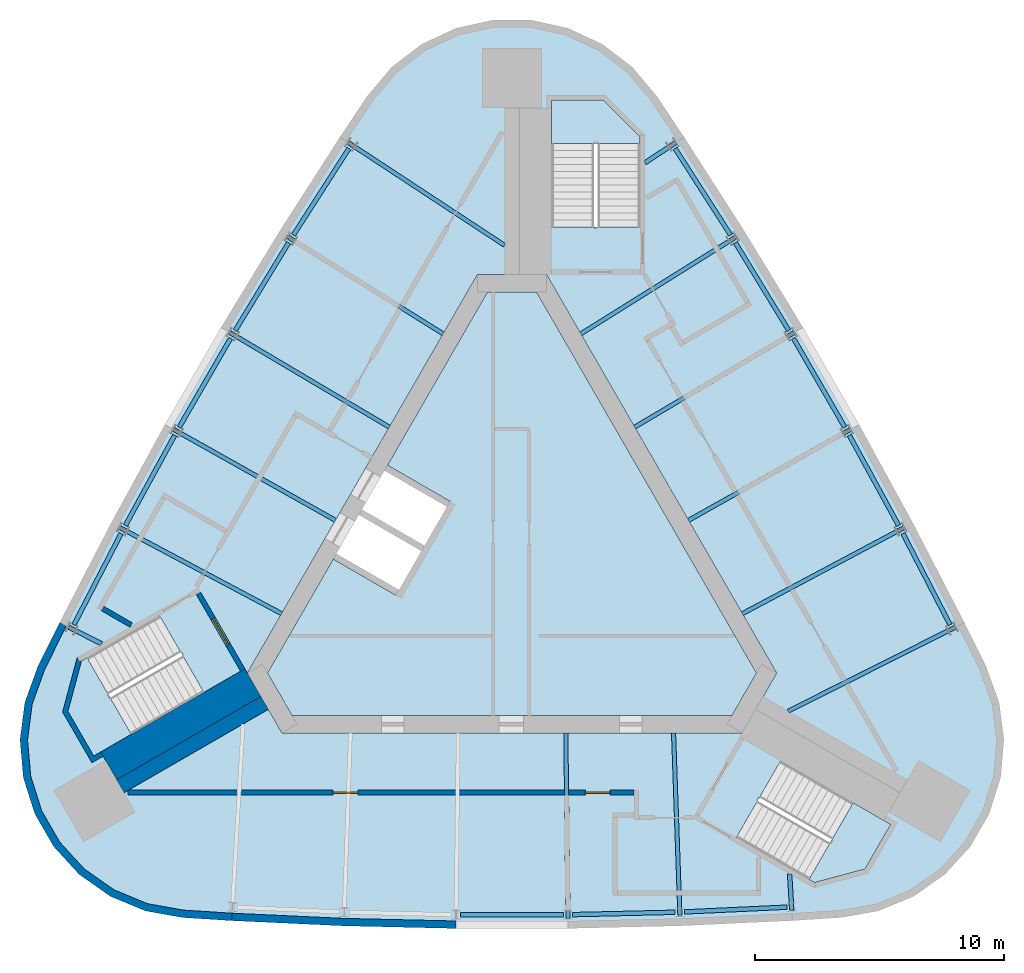
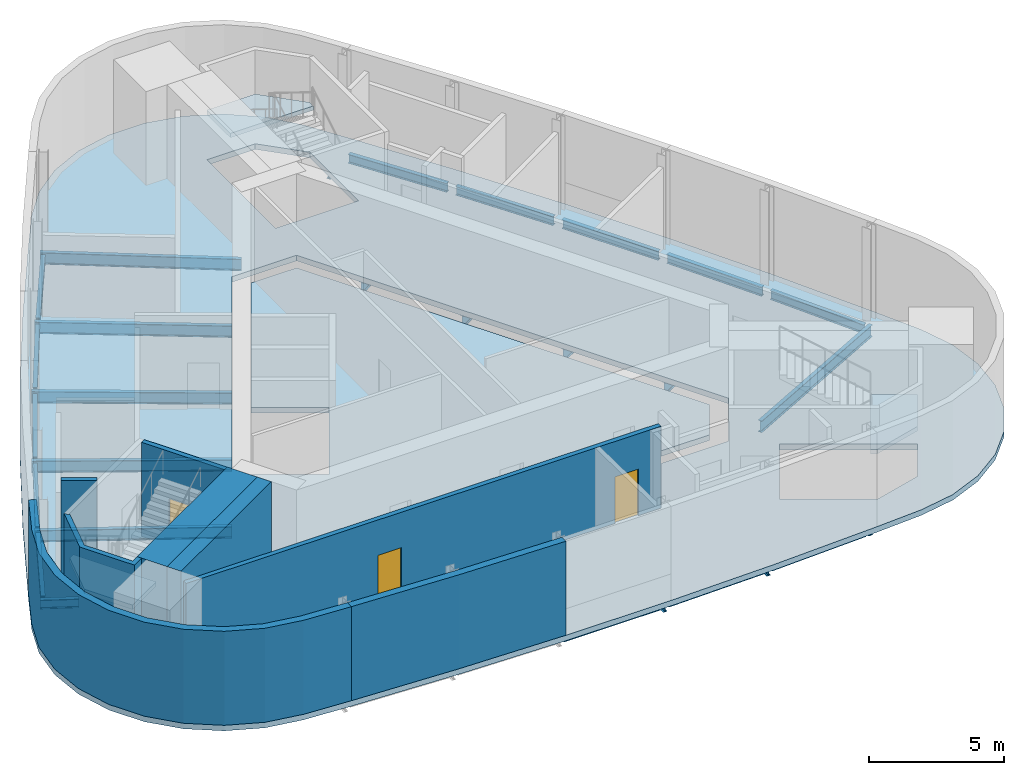
# One storey, part 3 of 7: 28 beams, 8 walls, 5 slabs, 3 doors, 3 openings, 3 elements without a shape of their own.
"""IFC4 building model written with IfcOpenShell, lengths in metres."""

from ifc_helpers import new_model, si_unit, direction, frame, frame_2d, origin, origin_2d, place, context, subcontext, project, spatial, polyline, rectangle, i_section, outline, extrude, material, layer, layer_set, material_profile, profile_set, type_object, element, fill, aggregate, save


model = new_model("IFC4")

# Units and contexts
model_context = context("Model", 3, precision=1e-05, world=origin(), true_north=direction((0.0, 1.0)))
body_context = subcontext(model_context, "Body", "Model", "MODEL_VIEW")
ifc_project = project(units=[si_unit("LENGTHUNIT", "METRE"), si_unit("AREAUNIT", "SQUARE_METRE"), si_unit("VOLUMEUNIT", "CUBIC_METRE"), si_unit("PLANEANGLEUNIT", "RADIAN"), si_unit("MASSUNIT", "GRAM", prefix="KILO")], contexts=[model_context])

# Site, building, storey
site_placement = place(None, origin())
site = spatial("IfcSite", under=ifc_project, at=site_placement, CompositionType="ELEMENT")
building_placement = place(site_placement, origin())
building = spatial("IfcBuilding", under=site, at=building_placement, Name="Noor Cloister Tower", CompositionType="ELEMENT")
storey_placement = place(building_placement, frame((0.0, 0.0, 302.10009765625)))
storey = spatial("IfcBuildingStorey", under=building, at=storey_placement, Name="L76", CompositionType="ELEMENT", Elevation=302.10009765625)

# Beams
ifc_material_1 = material(Name="Steel ASTM A992 Gr 50", Category="steel")
ifc_material_profile_1 = material_profile(ifc_material_1, i_section(OverallWidth=0.177978515625, OverallDepth=0.406005859375, WebThickness=0.0078125, FlangeThickness=0.0126953125, FilletRadius=0.01025390625, at=origin_2d()), Name="W410x60")
ifc_profile_set_1 = profile_set([ifc_material_profile_1], Name="Steel ASTM A992 Gr 50")
beam_type_1 = type_object("IfcBeamType", Name="Radial beam W410x60", PredefinedType="BEAM", material=ifc_profile_set_1)
for number, where, z_axis, x_axis, name in (
    (1, (-17.762451171875, -2.69921875, -0.453125), (0.893513410786, -0.449036507141, 0.0), (0.449036507141, 0.893513410786, 0.0), "Radial beam NW 06 L76"),
    (2, (11.218994140625, -14.033203125, -0.453125), (-0.058088486933, 0.998311438222, 0.0), (-0.998311438222, -0.058088486933, 0.0), "Radial beam S 06 L76"),
    (3, (6.543701171875, 16.732421875, -0.453125), (-0.835592525802, -0.549349734526, 0.0), (0.549349734526, -0.835592525802, 0.0), "Radial beam NE 06 L76"),
):
    element("IfcBeam", number, at=place(storey_placement, frame(where, z_axis=z_axis, x_axis=x_axis)), inside=storey, type_object=beam_type_1, Name=name, PredefinedType="BEAM", context=body_context, shape_type="SweptSolid", body=[
        extrude(i_section(OverallWidth=0.177978515625, OverallDepth=0.406005859375, WebThickness=0.0078125, FlangeThickness=0.0126953125, FilletRadius=0.01025390625, at=origin_2d()), origin(), (0.0, 0.0, 1.0), 1.44580078125),
    ])
ifc_material_2 = material(Name="Steel ASTM A992 Gr 50", Category="steel")
ifc_material_profile_2 = material_profile(ifc_material_2, i_section(OverallWidth=0.166015625, OverallDepth=0.528076171875, WebThickness=0.009765625, FlangeThickness=0.013671875, FilletRadius=0.0126953125, at=origin_2d()), Name="W530x74")
ifc_profile_set_2 = profile_set([ifc_material_profile_2], Name="Steel ASTM A992 Gr 50")
beam_type_2 = type_object("IfcBeamType", Name="Radial beam W530x74", PredefinedType="BEAM", material=ifc_profile_set_2)
beam_1_placement = place(storey_placement, frame((-6.543701171875, 16.732421875, -0.51416015625), z_axis=(0.835597066484, -0.549342827825, 0.0), x_axis=(0.549342827825, 0.835597066484, 0.0)))
element("IfcBeam", 4, at=beam_1_placement, inside=storey, type_object=beam_type_2, Name="Radial beam NW 01 L76", PredefinedType="BEAM", context=body_context, shape_type="SweptSolid", body=[
    extrude(i_section(OverallWidth=0.166015625, OverallDepth=0.528076171875, WebThickness=0.009765625, FlangeThickness=0.013671875, FilletRadius=0.0126953125, at=origin_2d()), origin(), (0.0, 0.0, 1.0), 7.47216796875),
])
beam_2_placement = place(storey_placement, frame((-8.966552734375, 12.952392578125, -0.51416015625), z_axis=(0.848095755563, -0.529842985606, 0.0), x_axis=(0.529842985606, 0.848095755563, 0.0)))
element("IfcBeam", 5, at=beam_2_placement, inside=storey, type_object=beam_type_2, Name="Radial beam NW 02 L76", PredefinedType="BEAM", context=body_context, shape_type="SweptSolid", body=[
    extrude(i_section(OverallWidth=0.166015625, OverallDepth=0.528076171875, WebThickness=0.009765625, FlangeThickness=0.013671875, FilletRadius=0.0126953125, at=origin_2d()), origin(), (0.0, 0.0, 1.0), 7.317626953125),
])
beam_3_placement = place(storey_placement, frame((-11.301025390625, 9.116943359375, -0.51416015625), z_axis=(0.8601674766, -0.510011678492, 0.0), x_axis=(0.510011678492, 0.8601674766, 0.0)))
element("IfcBeam", 6, at=beam_3_placement, inside=storey, type_object=beam_type_2, Name="Radial beam NW 03 L76", PredefinedType="BEAM", context=body_context, shape_type="SweptSolid", body=[
    extrude(i_section(OverallWidth=0.166015625, OverallDepth=0.528076171875, WebThickness=0.009765625, FlangeThickness=0.013671875, FilletRadius=0.0126953125, at=origin_2d()), origin(), (0.0, 0.0, 1.0), 7.41796875),
])
beam_4_placement = place(storey_placement, frame((-13.546142578125, 5.228515625, -0.51416015625), z_axis=(0.871771481583, -0.489912730901, 0.0), x_axis=(0.489912730901, 0.871771481583, 0.0)))
element("IfcBeam", 7, at=beam_4_placement, inside=storey, type_object=beam_type_2, Name="Radial beam NW 04 L76", PredefinedType="BEAM", context=body_context, shape_type="SweptSolid", body=[
    extrude(i_section(OverallWidth=0.166015625, OverallDepth=0.528076171875, WebThickness=0.009765625, FlangeThickness=0.013671875, FilletRadius=0.0126953125, at=origin_2d()), origin(), (0.0, 0.0, 1.0), 7.417724609375),
])
beam_5_placement = place(storey_placement, frame((-15.7001953125, 1.2890625, -0.51416015625), z_axis=(0.882900936167, -0.469559300745, 0.0), x_axis=(0.469559300745, 0.882900936167, 0.0)))
element("IfcBeam", 8, at=beam_5_placement, inside=storey, type_object=beam_type_2, Name="Radial beam NW 05 L76", PredefinedType="BEAM", context=body_context, shape_type="SweptSolid", body=[
    extrude(i_section(OverallWidth=0.166015625, OverallDepth=0.528076171875, WebThickness=0.009765625, FlangeThickness=0.013671875, FilletRadius=0.0126953125, at=origin_2d()), origin(), (0.0, 0.0, 1.0), 7.317626953125),
])
beam_6_placement = place(storey_placement, frame((2.244873046875, -14.345458984375, -0.51416015625), z_axis=(-0.011585411151, 0.999932886872, 0.0), x_axis=(-0.999932886872, -0.011585411151, 0.0)))
element("IfcBeam", 9, at=beam_6_placement, inside=storey, type_object=beam_type_2, Name="Radial beam S 04 L76", PredefinedType="BEAM", context=body_context, shape_type="SweptSolid", body=[
    extrude(i_section(OverallWidth=0.166015625, OverallDepth=0.528076171875, WebThickness=0.009765625, FlangeThickness=0.013671875, FilletRadius=0.0126953125, at=origin_2d()), origin(), (0.0, 0.0, 1.0), 7.417724609375),
])
beam_7_placement = place(storey_placement, frame((6.733642578125, -14.241455078125, -0.51416015625), z_axis=(-0.034764484893, 0.999395532605, 0.0), x_axis=(-0.999395532605, -0.034764484893, 0.0)))
element("IfcBeam", 10, at=beam_7_placement, inside=storey, type_object=beam_type_2, Name="Radial beam S 05 L76", PredefinedType="BEAM", context=body_context, shape_type="SweptSolid", body=[
    extrude(i_section(OverallWidth=0.166015625, OverallDepth=0.528076171875, WebThickness=0.009765625, FlangeThickness=0.013671875, FilletRadius=0.0126953125, at=origin_2d()), origin(), (0.0, 0.0, 1.0), 7.317626953125),
])
beam_8_placement = place(storey_placement, frame((17.762451171875, -2.69921875, -0.51416015625), z_axis=(-0.893543245424, -0.448977135897, 0.0), x_axis=(0.448977135897, -0.893543245424, 0.0)))
element("IfcBeam", 11, at=beam_8_placement, inside=storey, type_object=beam_type_2, Name="Radial beam NE 01 L76", PredefinedType="BEAM", context=body_context, shape_type="SweptSolid", body=[
    extrude(i_section(OverallWidth=0.166015625, OverallDepth=0.528076171875, WebThickness=0.009765625, FlangeThickness=0.013671875, FilletRadius=0.0126953125, at=origin_2d()), origin(), (0.0, 0.0, 1.0), 7.471923828125),
])
beam_9_placement = place(storey_placement, frame((15.7001953125, 1.2890625, -0.51416015625), z_axis=(-0.882900936167, -0.469559300745, 0.0), x_axis=(0.469559300745, -0.882900936167, 0.0)))
element("IfcBeam", 12, at=beam_9_placement, inside=storey, type_object=beam_type_2, Name="Radial beam NE 02 L76", PredefinedType="BEAM", context=body_context, shape_type="SweptSolid", body=[
    extrude(i_section(OverallWidth=0.166015625, OverallDepth=0.528076171875, WebThickness=0.009765625, FlangeThickness=0.013671875, FilletRadius=0.0126953125, at=origin_2d()), origin(), (0.0, 0.0, 1.0), 7.317626953125),
])
beam_10_placement = place(storey_placement, frame((13.546142578125, 5.228515625, -0.51416015625), z_axis=(-0.871771481583, -0.489912730901, 0.0), x_axis=(0.489912730901, -0.871771481583, 0.0)))
element("IfcBeam", 13, at=beam_10_placement, inside=storey, type_object=beam_type_2, Name="Radial beam NE 03 L76", PredefinedType="BEAM", context=body_context, shape_type="SweptSolid", body=[
    extrude(i_section(OverallWidth=0.166015625, OverallDepth=0.528076171875, WebThickness=0.009765625, FlangeThickness=0.013671875, FilletRadius=0.0126953125, at=origin_2d()), origin(), (0.0, 0.0, 1.0), 7.417724609375),
])
beam_11_placement = place(storey_placement, frame((11.301025390625, 9.116943359375, -0.51416015625), z_axis=(-0.8601674766, -0.510011678492, 0.0), x_axis=(0.510011678492, -0.8601674766, 0.0)))
element("IfcBeam", 14, at=beam_11_placement, inside=storey, type_object=beam_type_2, Name="Radial beam NE 04 L76", PredefinedType="BEAM", context=body_context, shape_type="SweptSolid", body=[
    extrude(i_section(OverallWidth=0.166015625, OverallDepth=0.528076171875, WebThickness=0.009765625, FlangeThickness=0.013671875, FilletRadius=0.0126953125, at=origin_2d()), origin(), (0.0, 0.0, 1.0), 7.41796875),
])
beam_12_placement = place(storey_placement, frame((8.966552734375, 12.952392578125, -0.51416015625), z_axis=(-0.848095755563, -0.529842985606, 0.0), x_axis=(0.529842985606, -0.848095755563, 0.0)))
element("IfcBeam", 15, at=beam_12_placement, inside=storey, type_object=beam_type_2, Name="Radial beam NE 05 L76", PredefinedType="BEAM", context=body_context, shape_type="SweptSolid", body=[
    extrude(i_section(OverallWidth=0.166015625, OverallDepth=0.528076171875, WebThickness=0.009765625, FlangeThickness=0.013671875, FilletRadius=0.0126953125, at=origin_2d()), origin(), (0.0, 0.0, 1.0), 7.317626953125),
])
ifc_material_3 = material(Name="Steel ASTM A992 Gr 50", Category="steel")
ifc_material_profile_3 = material_profile(ifc_material_3, i_section(OverallWidth=0.177978515625, OverallDepth=0.406005859375, WebThickness=0.0078125, FlangeThickness=0.0126953125, FilletRadius=0.01025390625, at=origin_2d()), Name="W410x60")
ifc_profile_set_3 = profile_set([ifc_material_profile_3], Name="Steel ASTM A992 Gr 50")
beam_type_3 = type_object("IfcBeamType", Name="Spandrel beam W410x60", PredefinedType="SPANDREL", material=ifc_profile_set_3)
for number, where, z_axis, x_axis, name in (
    (16, (-6.541015625, 16.510498046875, -0.453125), (-0.539591790673, -0.841926777956, 0.0), (0.841926777956, -0.539591790673, 0.0), "Spandrel beam NW 01 L76"),
    (17, (-8.958740234375, 12.73046875, -0.453125), (-0.519967629608, -0.854185965794, 0.0), (0.854185965794, -0.519967629608, 0.0), "Spandrel beam NW 02 L76"),
    (18, (-11.2880859375, 8.8955078125, -0.453125), (-0.499989236795, -0.866031617834, 0.0), (0.866031617834, -0.499989236795, 0.0), "Spandrel beam NW 03 L76"),
    (19, (-13.528076171875, 5.00732421875, -0.453125), (-0.479794519486, -0.877380885973, 0.0), (0.877380885973, -0.479794519486, 0.0), "Spandrel beam NW 04 L76"),
    (20, (-15.677001953125, 1.068359375, -0.453125), (-0.459334235581, -0.888263508213, 0.0), (0.888263508213, -0.459334235581, 0.0), "Spandrel beam NW 05 L76"),
    (21, (-2.0595703125, -14.2236328125, -0.453125), (1.0, 0.0, 0.0), (0.0, 1.0, 0.0), "Spandrel beam S 03 L76"),
):
    element("IfcBeam", number, at=place(storey_placement, frame(where, z_axis=z_axis, x_axis=x_axis)), inside=storey, type_object=beam_type_3, Name=name, PredefinedType="SPANDREL", context=body_context, shape_type="SweptSolid", body=[
        extrude(i_section(OverallWidth=0.177978515625, OverallDepth=0.406005859375, WebThickness=0.0078125, FlangeThickness=0.0126953125, FilletRadius=0.01025390625, at=origin_2d()), origin(), (0.0, 0.0, 1.0), 4.119140625),
    ])
beam_13_placement = place(storey_placement, frame((2.427490234375, -14.21923828125, -0.453125), z_axis=(0.999731452345, 0.023173760841, 0.0), x_axis=(-0.023173760841, 0.999731452345, 0.0)))
element("IfcBeam", 22, at=beam_13_placement, inside=storey, type_object=beam_type_3, Name="Spandrel beam S 04 L76", PredefinedType="SPANDREL", context=body_context, shape_type="SweptSolid", body=[
    extrude(i_section(OverallWidth=0.177978515625, OverallDepth=0.406005859375, WebThickness=0.0078125, FlangeThickness=0.0126953125, FilletRadius=0.01025390625, at=origin_2d()), origin(), (0.0, 0.0, 1.0), 4.119384765625),
])
for number, where, z_axis, x_axis, name in (
    (23, (6.913330078125, -14.11083984375, -0.453125), (0.998925325351, 0.046348617801, 0.0), (-0.046348617801, 0.998925325351, 0.0), "Spandrel beam S 05 L76"),
    (24, (17.569091796875, -2.590576171875, -0.453125), (-0.459334235581, 0.888263508213, 0.0), (-0.888263508213, -0.459334235581, 0.0), "Spandrel beam NE 01 L76"),
    (25, (15.50439453125, 1.393310546875, -0.453125), (-0.479794519486, 0.877380885973, 0.0), (-0.877380885973, -0.479794519486, 0.0), "Spandrel beam NE 02 L76"),
    (26, (13.34765625, 5.328125, -0.453125), (-0.499989236795, 0.866031617834, 0.0), (-0.866031617834, -0.499989236795, 0.0), "Spandrel beam NE 03 L76"),
    (27, (11.1005859375, 9.2119140625, -0.453125), (-0.519967629608, 0.854185965794, 0.0), (-0.854185965794, -0.519967629608, 0.0), "Spandrel beam NE 04 L76"),
    (28, (8.763671875, 13.04248046875, -0.453125), (-0.539591790673, 0.841926777956, 0.0), (-0.841926777956, -0.539591790673, 0.0), "Spandrel beam NE 05 L76"),
):
    element("IfcBeam", number, at=place(storey_placement, frame(where, z_axis=z_axis, x_axis=x_axis)), inside=storey, type_object=beam_type_3, Name=name, PredefinedType="SPANDREL", context=body_context, shape_type="SweptSolid", body=[
        extrude(i_section(OverallWidth=0.177978515625, OverallDepth=0.406005859375, WebThickness=0.0078125, FlangeThickness=0.0126953125, FilletRadius=0.01025390625, at=origin_2d()), origin(), (0.0, 0.0, 1.0), 4.119140625),
    ])

# Slabs
ifc_material_4 = material(Name="Concrete C40/50", Category="concrete")
ifc_layer_1 = layer(ifc_material_4, 0.25)
ifc_layer_set_1 = layer_set([ifc_layer_1], Name="Core floor slab 250 C40/50")
slab_type_1 = type_object("IfcSlabType", Name="Core floor slab 250 C40/50", PredefinedType="FLOOR", material=ifc_layer_set_1)
slab_1_placement = place(storey_placement, frame((0.0, 0.0, -0.25)))
element("IfcSlab", 29, at=slab_1_placement, inside=storey, type_object=slab_type_1, Name="Core floor L76", PredefinedType="FLOOR", context=body_context, shape_type="SweptSolid", body=[
    extrude(outline(polyline([(-4.993896484375, 3.806884765625), (-2.482421875, 2.35693359375), (-4.6572265625, -1.410400390625), (-7.168701171875, 0.039794921875), (-9.80615234375, -4.5283203125), (-8.82470703125, -6.228271484375), (8.82470703125, -6.228271484375), (9.80615234375, -4.5283203125), (0.9814453125, 10.75634765625), (-0.9814453125, 10.75634765625), (-4.993896484375, 3.806884765625)])), origin(), (0.0, 0.0, 1.0), 0.25),
])
ifc_material_5 = material(Name="Concrete C40/50", Category="concrete")
ifc_layer_2 = layer(ifc_material_5, 0.25)
ifc_layer_set_2 = layer_set([ifc_layer_2], Name="Floor slab 250 C40/50")
slab_type_2 = type_object("IfcSlabType", Name="Floor slab 250 C40/50", PredefinedType="FLOOR", material=ifc_layer_set_2)
slab_2_placement = place(storey_placement, frame((0.0, 0.0, -0.25)))
element("IfcSlab", 30, at=slab_2_placement, inside=storey, type_object=slab_type_2, Name="Floor slab L76", PredefinedType="FLOOR", context=body_context, shape_type="SweptSolid", body=[
    extrude(outline(polyline([(5.809814453125, 18.609619140625), (4.830078125, 19.771484375), (3.62255859375, 20.69482421875), (2.244140625, 21.33544921875), (0.760009765625, 21.66357421875), (-0.760009765625, 21.66357421875), (-2.244140625, 21.33544921875), (-3.62255859375, 20.69482421875), (-4.830078125, 19.771484375), (-5.809814453125, 18.609619140625), (-6.9013671875, 16.967529296875), (-9.32958984375, 13.178955078125), (-11.669189453125, 9.335205078125), (-13.919189453125, 5.438232421875), (-16.078125, 1.489990234375), (-18.14501953125, -2.507080078125), (-19.021240234375, -4.2734375), (-19.53759765625, -5.702880859375), (-19.7333984375, -7.210205078125), (-19.59912109375, -8.724365234375), (-19.14111328125, -10.173583984375), (-18.381103515625, -11.489990234375), (-17.35498046875, -12.611083984375), (-16.11083984375, -13.484619140625), (-14.707763671875, -14.068603515625), (-13.21142578125, -14.336181640625), (-11.24365234375, -14.46044921875), (-6.74853515625, -14.669189453125), (-2.25, -14.7734375), (2.25, -14.7734375), (6.74853515625, -14.669189453125), (11.24365234375, -14.46044921875), (13.21142578125, -14.336181640625), (14.707763671875, -14.068603515625), (16.11083984375, -13.484619140625), (17.35498046875, -12.611083984375), (18.381103515625, -11.489990234375), (19.14111328125, -10.173583984375), (19.59912109375, -8.724365234375), (19.7333984375, -7.210205078125), (19.53759765625, -5.702880859375), (19.021240234375, -4.2734375), (18.14501953125, -2.507080078125), (16.078125, 1.489990234375), (13.919189453125, 5.438232421875), (11.669189453125, 9.335205078125), (9.32958984375, 13.178955078125), (6.9013671875, 16.967529296875), (5.809814453125, 18.609619140625)]), holes=[polyline([(8.999755859375, -11.126220703125), (12.131591796875, -12.934326171875), (14.1572265625, -12.3916015625), (15.19091796875, -10.601318359375), (10.774658203125, -8.0517578125), (8.999755859375, -11.126220703125)]), polyline([(-17.81005859375, -6.064697265625), (-16.776611328125, -7.85498046875), (-12.3603515625, -5.305419921875), (-14.13525390625, -2.23095703125), (-16.662841796875, -3.690185546875), (-17.267333984375, -4.039306640625), (-17.81005859375, -6.064697265625)]), polyline([(-10.6142578125, -4.5283203125), (-9.228759765625, -6.92822265625), (9.228759765625, -6.92822265625), (10.6142578125, -4.5283203125), (1.3857421875, 11.456298828125), (-1.3857421875, 11.456298828125), (-10.6142578125, -4.5283203125)]), polyline([(3.65283203125, 18.456298828125), (1.585693359375, 18.456298828125), (1.585693359375, 13.35693359375), (5.135498046875, 13.35693359375), (5.135498046875, 16.9736328125), (3.65283203125, 18.456298828125)])]), origin(), (0.0, 0.0, 1.0), 0.25),
])

# Stair, slab
ifc_material_6 = material(Name="Concrete C40/50", Category="concrete")
stair_type = type_object("IfcStairType", Name="Exit stair 26 risers", PredefinedType="HALF_TURN_STAIR", material=ifc_material_6)
stair_1_placement = place(storey_placement, origin())
stair_1 = element("IfcStair", 31, at=stair_1_placement, inside=storey, type_object=stair_type, Name="Exit stair ST1 L76", PredefinedType="HALF_TURN_STAIR")
ifc_material_7 = material(Name="Concrete C40/50", Category="concrete")
ifc_layer_3 = layer(ifc_material_7, 0.199951171875)
ifc_layer_set_3 = layer_set([ifc_layer_3], Name="Stair landing 200 C40/50")
slab_type_3 = type_object("IfcSlabType", Name="Stair landing 200 C40/50", PredefinedType="LANDING", material=ifc_layer_set_3)
slab_3_placement = place(storey_placement, frame((0.0, 0.0, 2.0498046875)))
slab_3 = element("IfcSlab", 32, at=slab_3_placement, type_object=slab_type_3, Name="ST1 landing 1", PredefinedType="LANDING", context=body_context, shape_type="SweptSolid", body=[
    extrude(outline(polyline([(5.135498046875, 16.7158203125), (5.135498046875, 16.9736328125), (3.65283203125, 18.456298828125), (1.585693359375, 18.456298828125), (1.585693359375, 16.7158203125), (5.135498046875, 16.7158203125)])), origin(), (0.0, 0.0, 1.0), 0.2001953125),
])
aggregate(stair_1, [slab_3])

stair_2_placement = place(storey_placement, origin())
stair_2 = element("IfcStair", 33, at=stair_2_placement, inside=storey, type_object=stair_type, Name="Exit stair ST2 L76", PredefinedType="HALF_TURN_STAIR")
slab_4_placement = place(storey_placement, frame((0.0, 0.0, 2.0498046875)))
slab_4 = element("IfcSlab", 34, at=slab_4_placement, type_object=slab_type_3, Name="ST2 landing 1", PredefinedType="LANDING", context=body_context, shape_type="SweptSolid", body=[
    extrude(outline(polyline([(-17.044189453125, -3.910400390625), (-17.267333984375, -4.039306640625), (-17.81005859375, -6.064697265625), (-16.776611328125, -7.85498046875), (-15.26904296875, -6.984619140625), (-17.044189453125, -3.910400390625)])), origin(), (0.0, 0.0, 1.0), 0.2001953125),
])
aggregate(stair_2, [slab_4])

stair_3_placement = place(storey_placement, origin())
stair_3 = element("IfcStair", 35, at=stair_3_placement, inside=storey, type_object=stair_type, Name="Exit stair ST3 L76", PredefinedType="HALF_TURN_STAIR")
slab_5_placement = place(storey_placement, frame((0.0, 0.0, 2.0498046875)))
slab_5 = element("IfcSlab", 36, at=slab_5_placement, type_object=slab_type_3, Name="ST3 landing 1", PredefinedType="LANDING", context=body_context, shape_type="SweptSolid", body=[
    extrude(outline(polyline([(11.908447265625, -12.805419921875), (12.131591796875, -12.934326171875), (14.1572265625, -12.3916015625), (15.19091796875, -10.601318359375), (13.68359375, -9.731201171875), (11.908447265625, -12.805419921875)])), origin(), (0.0, 0.0, 1.0), 0.2001953125),
])
aggregate(stair_3, [slab_5])

# Walls
ifc_material_8 = material(Name="Concrete C50/60", Category="concrete")
ifc_layer_4 = layer(ifc_material_8, 0.60009765625)
ifc_layer_set_4 = layer_set([ifc_layer_4], Name="Buttress wall 600 C50/60")
wall_type_1 = type_object("IfcWallType", Name="Buttress wall 600 C50/60", PredefinedType="SHEAR", material=ifc_layer_set_4)
wall_1_placement = place(storey_placement, frame((-9.921630859375, -5.728271484375, -0.25), z_axis=(0.0, 0.0, 1.0), x_axis=(-0.866032176823, -0.499988268569, 0.0)))
element("IfcWall", 37, at=wall_1_placement, inside=storey, type_object=wall_type_1, Name="Buttress wall SW L76", PredefinedType="SHEAR", context=body_context, shape_type="SweptSolid", body=[
    extrude(rectangle(XDim=6.678466796875, YDim=0.60009765625, at=frame_2d((3.33935546875, 0.0))), origin(), (0.0, 0.0, 1.0), 4.5),
])
ifc_material_9 = material(Name="Limestone", Category="masonry")
ifc_layer_5 = layer(ifc_material_9, 0.300048828125)
ifc_layer_set_5 = layer_set([ifc_layer_5], Name="Limestone cladding 300")
wall_type_2 = type_object("IfcWallType", Name="Limestone cladding 300", PredefinedType="NOTDEFINED", material=ifc_layer_set_5)
wall_2_placement = place(storey_placement, origin())
element("IfcWall", 38, at=wall_2_placement, inside=storey, type_object=wall_type_2, Name="Limestone pier cladding L76 1.1", PredefinedType="NOTDEFINED", context=body_context, shape_type="SweptSolid", body=[
    extrude(outline(polyline([(-18.14501953125, -2.507080078125), (-19.021240234375, -4.2734375), (-19.53759765625, -5.702880859375), (-19.7333984375, -7.210205078125), (-19.59912109375, -8.724365234375), (-19.14111328125, -10.173583984375), (-18.381103515625, -11.489990234375), (-17.35498046875, -12.611083984375), (-16.11083984375, -13.484619140625), (-14.707763671875, -14.068603515625), (-13.21142578125, -14.336181640625), (-11.24365234375, -14.46044921875), (-11.224853515625, -14.1611328125), (-13.175537109375, -14.037841796875), (-14.62255859375, -13.779052734375), (-15.96533203125, -13.22021484375), (-17.15576171875, -12.384521484375), (-18.1376953125, -11.3115234375), (-18.864990234375, -10.052001953125), (-19.30322265625, -8.6650390625), (-19.431640625, -7.21630859375), (-19.244384765625, -5.77392578125), (-18.744873046875, -4.391357421875), (-17.876220703125, -2.640380859375), (-18.14501953125, -2.507080078125)])), origin(), (0.0, 0.0, 1.0), 4.25),
])
ifc_material_10 = material(Name="Limestone", Category="masonry")
ifc_layer_6 = layer(ifc_material_10, 0.300048828125)
ifc_layer_set_6 = layer_set([ifc_layer_6], Name="Limestone panel wall 300")
wall_type_3 = type_object("IfcWallType", Name="Limestone panel wall 300", PredefinedType="NOTDEFINED", material=ifc_layer_set_6)
wall_3_placement = place(storey_placement, origin())
element("IfcWall", 39, at=wall_3_placement, inside=storey, type_object=wall_type_3, Name="Limestone crown wall L76 2a", PredefinedType="NOTDEFINED", context=body_context, shape_type="SweptSolid", body=[
    extrude(outline(polyline([(-11.24365234375, -14.46044921875), (-6.74853515625, -14.669189453125), (-2.25, -14.7734375), (-2.242919921875, -14.4736328125), (-6.73828125, -14.369384765625), (-11.229736328125, -14.160888671875), (-11.24365234375, -14.46044921875)])), origin(), (0.0, 0.0, 1.0), 4.25),
])
ifc_material_11 = material(Name="Concrete C50/60", Category="concrete")
ifc_layer_7 = layer(ifc_material_11, 1.285888671875)
ifc_layer_set_7 = layer_set([ifc_layer_7], Name="Stair enclosure wall 1286 C50/60")
wall_type_4 = type_object("IfcWallType", Name="Stair enclosure wall 1286 C50/60", PredefinedType="SHEAR", material=ifc_layer_set_7)
wall_4_placement = place(storey_placement, frame((-10.392822265625, -4.91162109375, -0.25), z_axis=(0.0, 0.0, 1.0), x_axis=(-0.866025486527, -0.499999856685, 0.0)))
element("IfcWall", 40, at=wall_4_placement, inside=storey, type_object=wall_type_4, Name="Stair enclosure wall ST2 L76 riser side", PredefinedType="SHEAR", context=body_context, shape_type="SweptSolid", body=[
    extrude(rectangle(XDim=6.6787109375, YDim=1.28564453125, at=frame_2d((3.33935546875, 0.0))), origin(), (0.0, 0.0, 1.0), 4.5),
])

# Wall, opening, door
ifc_material_12 = material(Name="Concrete C50/60", Category="concrete")
ifc_layer_8 = layer(ifc_material_12, 0.199951171875)
ifc_layer_set_8 = layer_set([ifc_layer_8], Name="Stair enclosure wall 200 C50/60")
wall_type_5 = type_object("IfcWallType", Name="Stair enclosure wall 200 C50/60", PredefinedType="SHEAR", material=ifc_layer_set_8)
wall_5_placement = place(storey_placement, frame((-12.575927734375, -1.33056640625, -0.25), z_axis=(0.0, 0.0, 1.0), x_axis=(0.499970499736, -0.8660424351, 0.0)))
wall_5 = element("IfcWall", 41, at=wall_5_placement, inside=storey, type_object=wall_type_5, Name="Stair enclosure wall ST2 L76 near end", PredefinedType="SHEAR", context=body_context, shape_type="SweptSolid", body=[
    extrude(rectangle(XDim=3.550048828125, YDim=0.199951171875, at=frame_2d((1.77490234375, 0.0))), origin(), (0.0, 0.0, 1.0), 4.5),
])
opening_1_placement = place(wall_5_placement, frame((1.175048828125, 0.0, 0.25)))
opening_1 = element("IfcOpeningElement", 42, at=opening_1_placement, cuts=wall_5, Name="Opening L76-ST2L", PredefinedType="OPENING", context=body_context, shape_type="SweptSolid", body=[
    extrude(rectangle(XDim=1.199951171875, YDim=2.10009765625, at=frame_2d((0.60009765625, 1.050048828125))), frame((0.0, 0.10986328125, 0.0), z_axis=(0.0, -1.0, 0.0), x_axis=(1.0, 0.0, 0.0)), (0.0, 0.0, 1.0), 0.219970703125),
])
ifc_material_13 = material(Name="Steel", Category="steel")
door_type_1 = type_object("IfcDoorType", Name="Stair door 1200 x 2100 FD120", OperationType="SINGLE_SWING_LEFT", PredefinedType="DOOR", material=ifc_material_13)
door_1_placement = place(opening_1_placement, origin())
door_1 = element("IfcDoor", 43, at=door_1_placement, inside=storey, type_object=door_type_1, Name="Stair door ST2 L76", OperationType="SINGLE_SWING_RIGHT", OverallHeight=2.10009765625, OverallWidth=1.199951171875, PredefinedType="DOOR", context=body_context, shape_type="SweptSolid", body=[
    extrude(rectangle(XDim=1.199951171875, YDim=2.10009765625, at=frame_2d((0.60009765625, 1.050048828125))), frame((0.0, 0.02490234375, 0.0), z_axis=(0.0, -1.0, 0.0), x_axis=(1.0, 0.0, 0.0)), (0.0, 0.0, 1.0), 0.050048828125),
])
fill(opening_1, door_1)

# Walls
ifc_material_14 = material(Name="Concrete C50/60", Category="concrete")
wall_type_6 = type_object("IfcWallType", Name="Stair far end wall C50/60", PredefinedType="SHEAR", material=ifc_material_14)
wall_6_placement = place(storey_placement, frame((0.0, 0.0, -0.25)))
element("IfcWall", 44, at=wall_6_placement, inside=storey, type_object=wall_type_6, Name="Stair enclosure wall ST2 L76 far end", PredefinedType="SHEAR", context=body_context, shape_type="SweptSolid", body=[
    extrude(outline(polyline([(-17.439208984375, -3.907470703125), (-18.024658203125, -6.093017578125), (-16.849609375, -8.128173828125), (-16.398193359375, -7.867431640625), (-16.498291015625, -7.6943359375), (-16.498291015625, -7.6943359375), (-16.776611328125, -7.85498046875), (-17.81005859375, -6.064697265625), (-17.267333984375, -4.039306640625), (-17.339111328125, -4.08056640625), (-17.339111328125, -4.08056640625), (-17.339111328125, -4.08056640625), (-17.339111328125, -4.08056640625), (-17.339111328125, -4.08056640625), (-17.339111328125, -4.08056640625), (-17.339111328125, -4.08056640625), (-17.339111328125, -4.08056640625), (-17.339111328125, -4.08056640625), (-17.339111328125, -4.08056640625), (-17.339111328125, -4.08056640625), (-17.339111328125, -4.08056640625), (-17.339111328125, -4.08056640625), (-17.339111328125, -4.08056640625), (-17.339111328125, -4.08056640625), (-17.339111328125, -4.08056640625), (-17.339111328125, -4.08056640625), (-17.439208984375, -3.907470703125)])), origin(), (0.0, 0.0, 1.0), 4.5),
])
ifc_material_15 = material(Name="Concrete block wall, 200 mm", Category="concrete")
ifc_layer_9 = layer(ifc_material_15, 0.199951171875)
ifc_layer_set_9 = layer_set([ifc_layer_9], Name="Upper floor plant room wall 200")
wall_type_7 = type_object("IfcWallType", Name="Upper floor plant room wall 200", PredefinedType="PARTITIONING", material=ifc_layer_set_9)
wall_7_placement = place(storey_placement, frame((-16.4208984375, -1.942138671875, 0.0), z_axis=(0.0, 0.0, 1.0), x_axis=(0.865991484893, -0.500058744641, 0.0)))
element("IfcWall", 45, at=wall_7_placement, inside=storey, type_object=wall_type_7, Name="Upper floor plant room wall 200 L76 007", PredefinedType="PARTITIONING", context=body_context, shape_type="SweptSolid", body=[
    extrude(rectangle(XDim=1.319580078125, YDim=0.199951171875, at=frame_2d((0.65966796875, 0.0))), origin(), (0.0, 0.0, 1.0), 4.25),
])

# Wall, openings, doors
wall_8_placement = place(storey_placement, frame((-15.397216796875, -9.328125, 0.0), z_axis=(0.0, 0.0, 1.0), x_axis=(1.0, 0.0, 0.0)))
wall_8 = element("IfcWall", 46, at=wall_8_placement, inside=storey, type_object=wall_type_7, Name="Upper floor plant room wall 200 L76 011", PredefinedType="PARTITIONING", context=body_context, shape_type="SweptSolid", body=[
    extrude(rectangle(XDim=20.297119140625, YDim=0.199951171875, at=frame_2d((10.1484375, 0.0))), origin(), (0.0, 0.0, 1.0), 3.701904296875),
])
opening_2_placement = place(wall_8_placement, frame((8.212890625, 0.0, 0.0)))
opening_2 = element("IfcOpeningElement", 47, at=opening_2_placement, cuts=wall_8, Name="Opening L76-005", PredefinedType="OPENING", context=body_context, shape_type="SweptSolid", body=[
    extrude(rectangle(XDim=1.0, YDim=2.10009765625, at=frame_2d((0.5, 1.050048828125))), frame((0.0, 0.10986328125, 0.0), z_axis=(0.0, -1.0, 0.0), x_axis=(1.0, 0.0, 0.0)), (0.0, 0.0, 1.0), 0.219970703125),
])
opening_3_placement = place(wall_8_placement, frame((18.336181640625, 0.0, 0.0)))
opening_3 = element("IfcOpeningElement", 48, at=opening_3_placement, cuts=wall_8, Name="Opening L76-006", PredefinedType="OPENING", context=body_context, shape_type="SweptSolid", body=[
    extrude(rectangle(XDim=1.0, YDim=2.10009765625, at=frame_2d((0.5, 1.050048828125))), frame((0.0, 0.10986328125, 0.0), z_axis=(0.0, -1.0, 0.0), x_axis=(1.0, 0.0, 0.0)), (0.0, 0.0, 1.0), 0.219970703125),
])
ifc_material_16 = material(Name="Timber door leaf with steel frame", Category="steel")
door_type_2 = type_object("IfcDoorType", Name="Plant room door 1000", OperationType="NOTDEFINED", PredefinedType="DOOR", material=ifc_material_16)
door_2_placement = place(opening_2_placement, origin())
door_2 = element("IfcDoor", 49, at=door_2_placement, inside=storey, type_object=door_type_2, Name="Plant room door 1000 L76-005", OperationType="SINGLE_SWING_LEFT", OverallHeight=2.10009765625, OverallWidth=1.0, PredefinedType="DOOR", context=body_context, shape_type="SweptSolid", body=[
    extrude(rectangle(XDim=1.0, YDim=2.10009765625, at=frame_2d((0.5, 1.050048828125))), frame((0.0, 0.02490234375, 0.0), z_axis=(0.0, -1.0, 0.0), x_axis=(1.0, 0.0, 0.0)), (0.0, 0.0, 1.0), 0.050048828125),
])
fill(opening_2, door_2)
door_3_placement = place(opening_3_placement, origin())
door_3 = element("IfcDoor", 50, at=door_3_placement, inside=storey, type_object=door_type_2, Name="Plant room door 1000 L76-006", OperationType="SINGLE_SWING_RIGHT", OverallHeight=2.10009765625, OverallWidth=1.0, PredefinedType="DOOR", context=body_context, shape_type="SweptSolid", body=[
    extrude(rectangle(XDim=1.0, YDim=2.10009765625, at=frame_2d((0.5, 1.050048828125))), frame((0.0, 0.02490234375, 0.0), z_axis=(0.0, -1.0, 0.0), x_axis=(1.0, 0.0, 0.0)), (0.0, 0.0, 1.0), 0.050048828125),
])
fill(opening_3, door_3)

save(model, "model.ifc")
